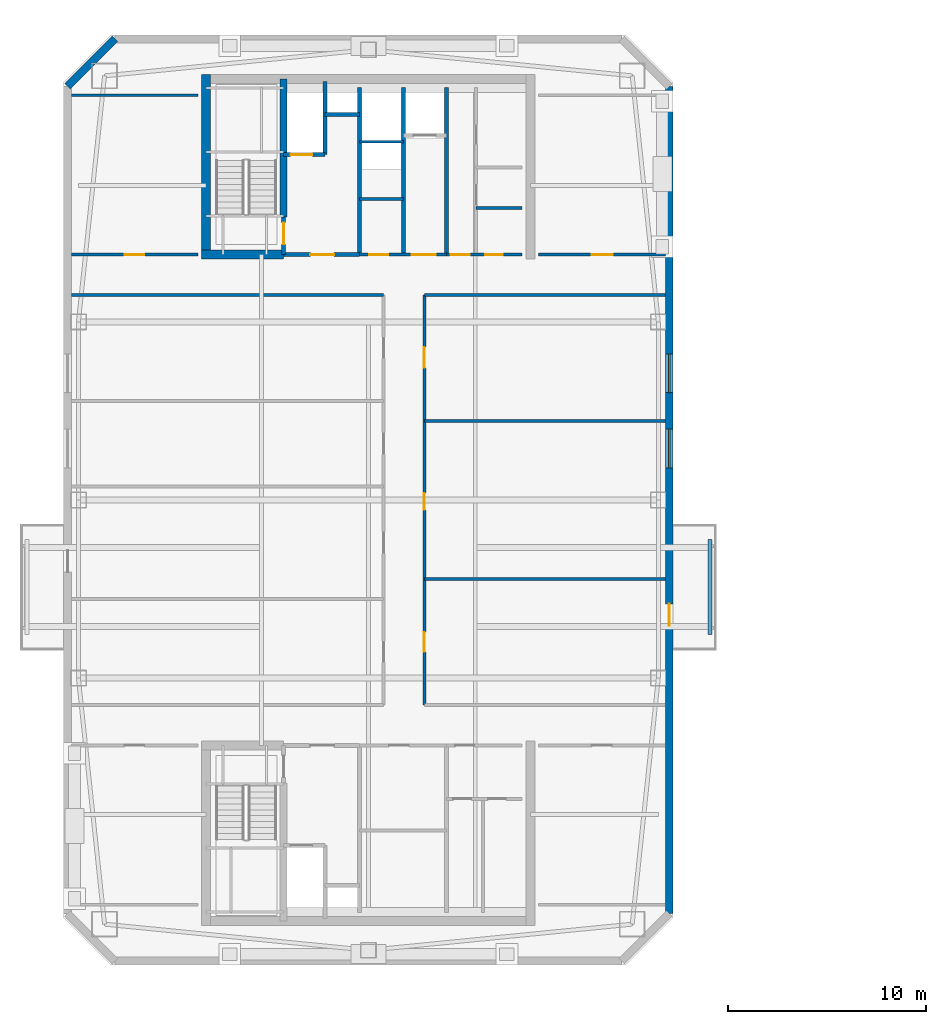
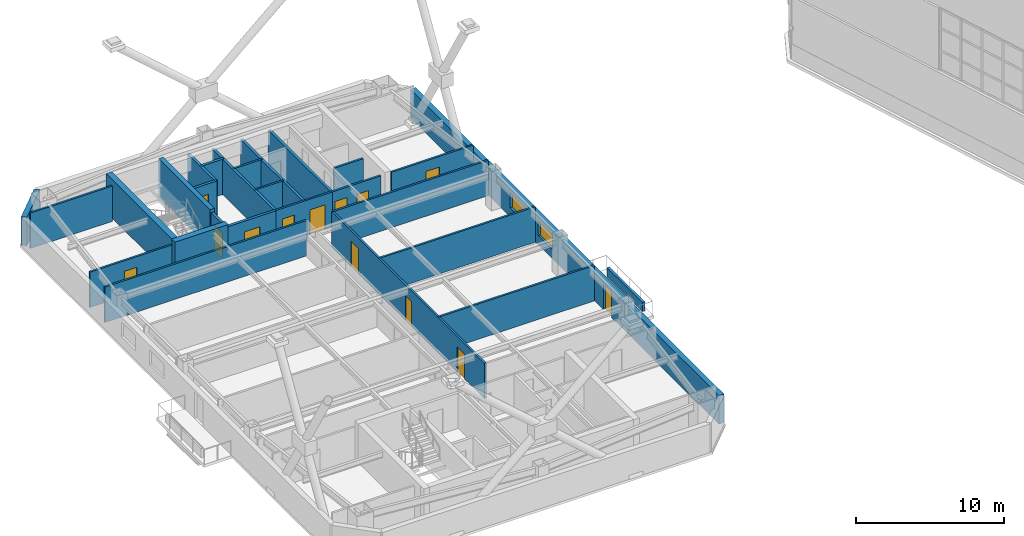
# One storey, part 49 of 56: 27 walls, 13 doors, 2 windows, 15 openings.
"""IFC4 building model written with IfcOpenShell, lengths in metres."""

from ifc_helpers import new_model, si_unit, direction, frame, frame_2d, origin, place, context, subcontext, project, spatial, rectangle, extrude, material, layer, layer_set, type_object, element, fill, save


model = new_model("IFC4")

# Units and contexts
model_context = context("Model", 3, precision=1e-05, world=origin(), true_north=direction((0.0, 1.0)))
body_context = subcontext(model_context, "Body", "Model", "MODEL_VIEW")
ifc_project = project(units=[si_unit("LENGTHUNIT", "METRE"), si_unit("AREAUNIT", "SQUARE_METRE"), si_unit("VOLUMEUNIT", "CUBIC_METRE"), si_unit("PLANEANGLEUNIT", "RADIAN"), si_unit("MASSUNIT", "GRAM", prefix="KILO")], contexts=[model_context])

# Site, building, storey
site_placement = place(None, origin())
site = spatial("IfcSite", under=ifc_project, at=site_placement, CompositionType="ELEMENT")
building_placement = place(site_placement, origin())
building = spatial("IfcBuilding", under=site, at=building_placement, Name="Qiaolan Cultural Towers", CompositionType="ELEMENT")
storey_placement = place(building_placement, frame((0.0, 0.0, 250.39990234375)))
storey = spatial("IfcBuildingStorey", under=building, at=storey_placement, Name="L68", CompositionType="ELEMENT", Elevation=250.39990234375)

# Walls
ifc_material_1 = material(Name="Concrete C50", Category="concrete")
ifc_layer_1 = layer(ifc_material_1, 0.35009765625)
ifc_layer_set_1 = layer_set([ifc_layer_1], Name="Concrete C50")
wall_type_1 = type_object("IfcWallType", Name="WL-CORE-350", PredefinedType="SHEAR", material=ifc_layer_set_1)
wall_1_placement = place(storey_placement, frame((25.719970703125, 48.300048828125, 0.0), z_axis=(0.0, 0.0, 1.0), x_axis=(0.0, 1.0, 0.0)))
element("IfcWall", 1, at=wall_1_placement, inside=storey, type_object=wall_type_1, Name="L68 T1-CN Stair Core Dividing Web", PredefinedType="SHEAR", context=body_context, shape_type="SweptSolid", body=[
    extrude(rectangle(XDim=6.97998046875, YDim=0.35009765625, at=frame_2d((3.489990234375, 0.0))), origin(), (0.0, 0.0, 1.0), 3.2001953125),
])
ifc_material_2 = material(Name="Concrete C50", Category="concrete")
ifc_layer_2 = layer(ifc_material_2, 0.449951171875)
ifc_layer_set_2 = layer_set([ifc_layer_2], Name="Concrete C50")
wall_type_2 = type_object("IfcWallType", Name="WL-CORE-450", PredefinedType="SHEAR", material=ifc_layer_set_2)
wall_2_placement = place(storey_placement, frame((21.800048828125, 46.175048828125, 0.0), z_axis=(0.0, 0.0, 1.0), x_axis=(0.0, 1.0, 0.0)))
element("IfcWall", 2, at=wall_2_placement, inside=storey, type_object=wall_type_2, Name="L68 T1-CN West Core Shear Wall", PredefinedType="SHEAR", context=body_context, shape_type="SweptSolid", body=[
    extrude(rectangle(XDim=9.329833984375, YDim=0.449951171875, at=frame_2d((4.6650390625, 0.0))), origin(), (0.0, 0.0, 1.0), 3.2001953125),
])
wall_3_placement = place(storey_placement, frame((21.574951171875, 46.39990234375, 0.0), z_axis=(0.0, 0.0, 1.0), x_axis=(1.0, 0.0, 0.0)))
element("IfcWall", 3, at=wall_3_placement, inside=storey, type_object=wall_type_2, Name="L68 T1-CN Stair Front Shear Wall", PredefinedType="SHEAR", context=body_context, shape_type="SweptSolid", body=[
    extrude(rectangle(XDim=4.14501953125, YDim=0.449951171875, at=frame_2d((2.072509765625, 0.0))), origin(), (0.0, 0.0, 1.0), 3.2001953125),
])
ifc_material_3 = material(Name="Precast Concrete C50 Honed Stone Pier", Category="masonry")
ifc_layer_3 = layer(ifc_material_3, 0.39990234375)
ifc_layer_set_3 = layer_set([ifc_layer_3], Name="Precast Concrete C50 Honed Stone Pier")
wall_type_3 = type_object("IfcWallType", Name="WL-EXT-PIER-400", PredefinedType="SOLIDWALL", material=ifc_layer_set_3)
wall_4_placement = place(storey_placement, frame((14.800048828125, 54.89990234375, 0.0), z_axis=(0.0, 0.0, 1.0), x_axis=(0.707070815327, 0.707142745217, 0.0)))
element("IfcWall", 4, at=wall_4_placement, inside=storey, type_object=wall_type_3, Name="L68 West Tower Precast Pier Facade Wall F2", PredefinedType="SOLIDWALL", context=body_context, shape_type="SweptSolid", body=[
    extrude(rectangle(XDim=3.39404296875, YDim=0.39990234375, at=frame_2d((1.697021484375, 0.0))), origin(), (0.0, 0.0, 1.0), 2.360107421875),
])

# Wall, openings, door, windows
wall_5_placement = place(storey_placement, frame((45.199951171875, 54.89990234375, 0.0), z_axis=(0.0, 0.0, 1.0), x_axis=(0.0, -1.0, 0.0)))
wall_5 = element("IfcWall", 5, at=wall_5_placement, inside=storey, type_object=wall_type_3, Name="L68 West Tower Precast Pier Facade Wall F5", PredefinedType="SOLIDWALL", context=body_context, shape_type="SweptSolid", body=[
    extrude(rectangle(XDim=41.7998046875, YDim=0.39990234375, at=frame_2d((20.89990234375, 0.0))), origin(), (0.0, 0.0, 1.0), 2.360107421875),
])
opening_1_placement = place(wall_5_placement, frame((17.324951171875, 0.0, 0.75)))
opening_1 = element("IfcOpeningElement", 6, at=opening_1_placement, cuts=wall_5, Name="Opening W-06", PredefinedType="OPENING", context=body_context, shape_type="SweptSolid", body=[
    extrude(rectangle(XDim=1.949951171875, YDim=1.2099609375, at=frame_2d((0.97509765625, 0.60498046875))), frame((0.0, 0.2099609375, 0.0), z_axis=(0.0, -1.0, 0.0), x_axis=(1.0, 0.0, 0.0)), (0.0, 0.0, 1.0), 0.419921875),
])
opening_2_placement = place(wall_5_placement, frame((13.52490234375, 0.0, 0.75)))
opening_2 = element("IfcOpeningElement", 7, at=opening_2_placement, cuts=wall_5, Name="Opening W-06", PredefinedType="OPENING", context=body_context, shape_type="SweptSolid", body=[
    extrude(rectangle(XDim=1.949951171875, YDim=1.2099609375, at=frame_2d((0.97509765625, 0.60498046875))), frame((0.0, 0.2099609375, 0.0), z_axis=(0.0, -1.0, 0.0), x_axis=(1.0, 0.0, 0.0)), (0.0, 0.0, 1.0), 0.419921875),
])
opening_3_placement = place(wall_5_placement, frame((26.14990234375, 0.0, 0.0)))
opening_3 = element("IfcOpeningElement", 8, at=opening_3_placement, cuts=wall_5, Name="Opening BD-01", PredefinedType="OPENING", context=body_context, shape_type="SweptSolid", body=[
    extrude(rectangle(XDim=1.10009765625, YDim=2.14990234375, at=frame_2d((0.550048828125, 1.074951171875))), frame((0.0, 0.2099609375, 0.0), z_axis=(0.0, -1.0, 0.0), x_axis=(1.0, 0.0, 0.0)), (0.0, 0.0, 1.0), 0.419921875),
])
ifc_material_4 = material(Name="Thermally Broken Aluminium Glazed Terrace Door", Category="aluminium")
door_type_1 = type_object("IfcDoorType", Name="DR-BAL-1100", OperationType="NOTDEFINED", PredefinedType="DOOR", material=ifc_material_4)
door_1_placement = place(opening_3_placement, origin())
door_1 = element("IfcDoor", 9, at=door_1_placement, inside=storey, type_object=door_type_1, Name="L68 T1 East Tree Balcony Door", OperationType="SINGLE_SWING_RIGHT", OverallHeight=2.14990234375, OverallWidth=1.10009765625, PredefinedType="DOOR", context=body_context, shape_type="SweptSolid", body=[
    extrude(rectangle(XDim=1.10009765625, YDim=2.14990234375, at=frame_2d((0.550048828125, 1.074951171875))), frame((0.0, 0.02490234375, 0.0), z_axis=(0.0, -1.0, 0.0), x_axis=(1.0, 0.0, 0.0)), (0.0, 0.0, 1.0), 0.050048828125),
])
fill(opening_3, door_1)
ifc_material_5 = material(Name="Thermally Broken Aluminium Triple Low-E Glazing", Category="aluminium")
window_type = type_object("IfcWindowType", Name="WN-CHIC-1950", PartitioningType="SINGLE_PANEL", PredefinedType="WINDOW", material=ifc_material_5)
window_1_placement = place(opening_1_placement, origin())
window_1 = element("IfcWindow", 10, at=window_1_placement, inside=storey, type_object=window_type, Name="L68 T1 E Chicago Bay Window 1", OverallHeight=1.2099609375, OverallWidth=1.949951171875, PartitioningType="TRIPLE_PANEL_VERTICAL", PredefinedType="WINDOW", context=body_context, shape_type="SweptSolid", body=[
    extrude(rectangle(XDim=1.949951171875, YDim=1.2099609375, at=frame_2d((0.97509765625, 0.60498046875))), frame((0.0, 0.030029296875, 0.0), z_axis=(0.0, -1.0, 0.0), x_axis=(1.0, 0.0, 0.0)), (0.0, 0.0, 1.0), 0.06005859375),
])
fill(opening_1, window_1)
window_2_placement = place(opening_2_placement, origin())
window_2 = element("IfcWindow", 11, at=window_2_placement, inside=storey, type_object=window_type, Name="L68 T1 E Chicago Bay Window 2", OverallHeight=1.2099609375, OverallWidth=1.949951171875, PartitioningType="TRIPLE_PANEL_VERTICAL", PredefinedType="WINDOW", context=body_context, shape_type="SweptSolid", body=[
    extrude(rectangle(XDim=1.949951171875, YDim=1.2099609375, at=frame_2d((0.97509765625, 0.60498046875))), frame((0.0, 0.030029296875, 0.0), z_axis=(0.0, -1.0, 0.0), x_axis=(1.0, 0.0, 0.0)), (0.0, 0.0, 1.0), 0.06005859375),
])
fill(opening_2, window_2)

# Wall, opening, door
ifc_material_6 = material(Name="Concrete C35 Fire Wall", Category="concrete")
ifc_layer_4 = layer(ifc_material_6, 0.199951171875)
ifc_layer_set_4 = layer_set([ifc_layer_4], Name="Concrete C35 Fire Wall")
wall_type_4 = type_object("IfcWallType", Name="WL-FIRE-200", PredefinedType="PARTITIONING", material=ifc_layer_set_4)
wall_6_placement = place(storey_placement, frame((25.719970703125, 46.39990234375, 0.0), z_axis=(0.0, 0.0, 1.0), x_axis=(0.0, 1.0, 0.0)))
wall_6 = element("IfcWall", 12, at=wall_6_placement, inside=storey, type_object=wall_type_4, Name="L68 T1-CN Smokeproof Stair Entry Wall", PredefinedType="PARTITIONING", context=body_context, shape_type="SweptSolid", body=[
    extrude(rectangle(XDim=1.900146484375, YDim=0.199951171875, at=frame_2d((0.9501953125, 0.0))), origin(), (0.0, 0.0, 1.0), 2.925048828125),
])
opening_4_placement = place(wall_6_placement, frame((0.52001953125, 0.0, 0.0)))
opening_4 = element("IfcOpeningElement", 13, at=opening_4_placement, cuts=wall_6, Name="Opening FD-04", PredefinedType="OPENING", context=body_context, shape_type="SweptSolid", body=[
    extrude(rectangle(XDim=1.10009765625, YDim=2.050048828125, at=frame_2d((0.550048828125, 1.02490234375))), frame((0.0, 0.10986328125, 0.0), z_axis=(0.0, -1.0, 0.0), x_axis=(1.0, 0.0, 0.0)), (0.0, 0.0, 1.0), 0.219970703125),
])
ifc_material_7 = material(Name="Galvanized Steel Command Fire Door", Category="steel")
door_type_2 = type_object("IfcDoorType", Name="DR-FD90-1100", OperationType="NOTDEFINED", PredefinedType="DOOR", material=ifc_material_7)
door_2_placement = place(opening_4_placement, origin())
door_2 = element("IfcDoor", 14, at=door_2_placement, inside=storey, type_object=door_type_2, Name="L68 ST-W2 Smokeproof Stair Fire Door", OperationType="SINGLE_SWING_LEFT", OverallHeight=2.050048828125, OverallWidth=1.10009765625, PredefinedType="DOOR", context=body_context, shape_type="SweptSolid", body=[
    extrude(rectangle(XDim=1.10009765625, YDim=2.050048828125, at=frame_2d((0.550048828125, 1.02490234375))), frame((0.0, 0.02490234375, 0.0), z_axis=(0.0, -1.0, 0.0), x_axis=(1.0, 0.0, 0.0)), (0.0, 0.0, 1.0), 0.050048828125),
])
fill(opening_4, door_2)

# Wall
wall_7_placement = place(storey_placement, frame((29.550048828125, 46.39990234375, 0.0), z_axis=(0.0, 0.0, 1.0), x_axis=(0.0, 1.0, 0.0)))
element("IfcWall", 15, at=wall_7_placement, inside=storey, type_object=wall_type_4, Name="L68 T1-CN Firefighting Zone Wall", PredefinedType="PARTITIONING", context=body_context, shape_type="SweptSolid", body=[
    extrude(rectangle(XDim=8.43017578125, YDim=0.199951171875, at=frame_2d((4.215087890625, 0.0))), origin(), (0.0, 0.0, 1.0), 2.925048828125),
])

# Wall, opening, door
wall_8_placement = place(storey_placement, frame((25.719970703125, 46.39990234375, 0.0), z_axis=(0.0, 0.0, 1.0), x_axis=(1.0, 0.0, 0.0)))
wall_8 = element("IfcWall", 16, at=wall_8_placement, inside=storey, type_object=wall_type_4, Name="L68 T1-CN Firefighting Lobby Front Wall", PredefinedType="PARTITIONING", context=body_context, shape_type="SweptSolid", body=[
    extrude(rectangle(XDim=3.830078125, YDim=0.199951171875, at=frame_2d((1.9150390625, 0.0))), origin(), (0.0, 0.0, 1.0), 2.925048828125),
])
opening_5_placement = place(wall_8_placement, frame((1.35009765625, 0.0, 0.0)))
opening_5 = element("IfcOpeningElement", 17, at=opening_5_placement, cuts=wall_8, Name="Opening FD-03", PredefinedType="OPENING", context=body_context, shape_type="SweptSolid", body=[
    extrude(rectangle(XDim=1.199951171875, YDim=2.050048828125, at=frame_2d((0.60009765625, 1.02490234375))), frame((0.0, 0.10986328125, 0.0), z_axis=(0.0, -1.0, 0.0), x_axis=(1.0, 0.0, 0.0)), (0.0, 0.0, 1.0), 0.219970703125),
])
ifc_material_8 = material(Name="Galvanized Steel Smokeproof Lobby Fire Door", Category="steel")
door_type_3 = type_object("IfcDoorType", Name="DR-FD90-1200", OperationType="NOTDEFINED", PredefinedType="DOOR", material=ifc_material_8)
door_3_placement = place(opening_5_placement, origin())
door_3 = element("IfcDoor", 18, at=door_3_placement, inside=storey, type_object=door_type_3, Name="L68 FFL-W2 Firefighting Lobby Fire Door", OperationType="SINGLE_SWING_LEFT", OverallHeight=2.050048828125, OverallWidth=1.199951171875, PredefinedType="DOOR", context=body_context, shape_type="SweptSolid", body=[
    extrude(rectangle(XDim=1.199951171875, YDim=2.050048828125, at=frame_2d((0.60009765625, 1.02490234375))), frame((0.0, 0.02490234375, 0.0), z_axis=(0.0, -1.0, 0.0), x_axis=(1.0, 0.0, 0.0)), (0.0, 0.0, 1.0), 0.050048828125),
])
fill(opening_5, door_3)

wall_9_placement = place(storey_placement, frame((25.719970703125, 51.449951171875, 0.0), z_axis=(0.0, 0.0, 1.0), x_axis=(1.0, 0.0, 0.0)))
wall_9 = element("IfcWall", 19, at=wall_9_placement, inside=storey, type_object=wall_type_4, Name="L68 T1-CN Firefighting Shaft Front Wall", PredefinedType="PARTITIONING", context=body_context, shape_type="SweptSolid", body=[
    extrude(rectangle(XDim=2.10009765625, YDim=0.199951171875, at=frame_2d((1.050048828125, 0.0))), origin(), (0.0, 0.0, 1.0), 2.925048828125),
])
opening_6_placement = place(wall_9_placement, frame((0.35009765625, 0.0, 0.0)))
opening_6 = element("IfcOpeningElement", 20, at=opening_6_placement, cuts=wall_9, Name="Opening LD-01", PredefinedType="OPENING", context=body_context, shape_type="SweptSolid", body=[
    extrude(rectangle(XDim=1.10009765625, YDim=2.050048828125, at=frame_2d((0.550048828125, 1.02490234375))), frame((0.0, 0.10986328125, 0.0), z_axis=(0.0, -1.0, 0.0), x_axis=(1.0, 0.0, 0.0)), (0.0, 0.0, 1.0), 0.219970703125),
])
ifc_material_9 = material(Name="Brushed Stainless Steel S30408 Centre-Parting Lift Landing Door", Category="steel")
door_type_4 = type_object("IfcDoorType", Name="DR-LIFT-1100", OperationType="NOTDEFINED", PredefinedType="DOOR", material=ifc_material_9)
door_4_placement = place(opening_6_placement, origin())
door_4 = element("IfcDoor", 21, at=door_4_placement, inside=storey, type_object=door_type_4, Name="L68 FFL-W2 Firefighting Lift Landing Door", OperationType="DOUBLE_DOOR_SLIDING", OverallHeight=2.050048828125, OverallWidth=1.10009765625, PredefinedType="DOOR", context=body_context, shape_type="SweptSolid", body=[
    extrude(rectangle(XDim=1.10009765625, YDim=2.050048828125, at=frame_2d((0.550048828125, 1.02490234375))), frame((0.0, 0.02490234375, 0.0), z_axis=(0.0, -1.0, 0.0), x_axis=(1.0, 0.0, 0.0)), (0.0, 0.0, 1.0), 0.050048828125),
])
fill(opening_6, door_4)

# Walls
wall_10_placement = place(storey_placement, frame((27.820068359375, 51.449951171875, 0.0), z_axis=(0.0, 0.0, 1.0), x_axis=(0.0, 1.0, 0.0)))
element("IfcWall", 22, at=wall_10_placement, inside=storey, type_object=wall_type_4, Name="L68 T1-CN Firefighting Hoistway East Wall", PredefinedType="PARTITIONING", context=body_context, shape_type="SweptSolid", body=[
    extrude(rectangle(XDim=3.699951171875, YDim=0.199951171875, at=frame_2d((1.85009765625, 0.0))), origin(), (0.0, 0.0, 1.0), 2.925048828125),
])
wall_11_placement = place(storey_placement, frame((27.820068359375, 53.47998046875, 0.0), z_axis=(0.0, 0.0, 1.0), x_axis=(1.0, 0.0, 0.0)))
element("IfcWall", 23, at=wall_11_placement, inside=storey, type_object=wall_type_4, Name="L68 T1-CN Pressurization Shaft Front Wall", PredefinedType="PARTITIONING", context=body_context, shape_type="SweptSolid", body=[
    extrude(rectangle(XDim=1.72998046875, YDim=0.199951171875, at=frame_2d((0.864990234375, 0.0))), origin(), (0.0, 0.0, 1.0), 2.925048828125),
])
for number, where, z_axis, x_axis, name in (
    (24, (33.949951171875, 46.39990234375, 0.0), (0.0, 0.0, 1.0), (0.0, 1.0, 0.0), "L68 T1-CN Lift Core East Wall"),
    (25, (31.780029296875, 46.39990234375, 0.0), (0.0, 0.0, 1.0), (0.0, 1.0, 0.0), "L68 T1-CN Sky Shuttle Lift Zone Wall"),
):
    element("IfcWall", number, at=place(storey_placement, frame(where, z_axis=z_axis, x_axis=x_axis)), inside=storey, type_object=wall_type_4, Name=name, PredefinedType="PARTITIONING", context=body_context, shape_type="SweptSolid", body=[
        extrude(rectangle(XDim=8.43017578125, YDim=0.199951171875, at=frame_2d((4.215087890625, 0.0))), origin(), (0.0, 0.0, 1.0), 2.925048828125),
    ])

# Wall, openings, doors
ifc_material_10 = material(Name="Autoclaved Aerated Concrete Block B06", Category="concrete")
ifc_layer_5 = layer(ifc_material_10, 0.14990234375)
ifc_layer_set_5 = layer_set([ifc_layer_5], Name="Autoclaved Aerated Concrete Block B06")
wall_type_5 = type_object("IfcWallType", Name="WL-PART-150", PredefinedType="PARTITIONING", material=ifc_layer_set_5)
wall_12_placement = place(storey_placement, frame((29.550048828125, 46.39990234375, 0.0), z_axis=(0.0, 0.0, 1.0), x_axis=(1.0, 0.0, 0.0)))
wall_12 = element("IfcWall", 26, at=wall_12_placement, inside=storey, type_object=wall_type_5, Name="L68 T1-CN High-Zone Lift Lobby Wall", PredefinedType="PARTITIONING", context=body_context, shape_type="SweptSolid", body=[
    extrude(rectangle(XDim=4.39990234375, YDim=0.14990234375, at=frame_2d((2.199951171875, 0.0))), origin(), (0.0, 0.0, 1.0), 2.925048828125),
])
opening_7_placement = place(wall_12_placement, frame((0.5, 0.0, 0.0)))
opening_7 = element("IfcOpeningElement", 27, at=opening_7_placement, cuts=wall_12, Name="Opening ID-05", PredefinedType="OPENING", context=body_context, shape_type="SweptSolid", body=[
    extrude(rectangle(XDim=0.949951171875, YDim=2.050048828125, at=frame_2d((0.47509765625, 1.02490234375))), frame((0.0, 0.0849609375, 0.0), z_axis=(0.0, -1.0, 0.0), x_axis=(1.0, 0.0, 0.0)), (0.0, 0.0, 1.0), 0.169921875),
])
opening_8_placement = place(wall_12_placement, frame((2.64990234375, 0.0, 0.0)))
opening_8 = element("IfcOpeningElement", 28, at=opening_8_placement, cuts=wall_12, Name="Opening FD-06", PredefinedType="OPENING", context=body_context, shape_type="SweptSolid", body=[
    extrude(rectangle(XDim=1.199951171875, YDim=2.050048828125, at=frame_2d((0.60009765625, 1.02490234375))), frame((0.0, 0.0849609375, 0.0), z_axis=(0.0, -1.0, 0.0), x_axis=(1.0, 0.0, 0.0)), (0.0, 0.0, 1.0), 0.169921875),
])
ifc_material_11 = material(Name="Painted Steel Plant Fire Door", Category="steel")
door_type_5 = type_object("IfcDoorType", Name="DR-FD60-1200", OperationType="NOTDEFINED", PredefinedType="DOOR", material=ifc_material_11)
door_5_placement = place(opening_8_placement, origin())
door_5 = element("IfcDoor", 29, at=door_5_placement, inside=storey, type_object=door_type_5, Name="L68 Sky Shuttle Lift Lobby Door", OperationType="SINGLE_SWING_RIGHT", OverallHeight=2.050048828125, OverallWidth=1.199951171875, PredefinedType="DOOR", context=body_context, shape_type="SweptSolid", body=[
    extrude(rectangle(XDim=1.199951171875, YDim=2.050048828125, at=frame_2d((0.60009765625, 1.02490234375))), frame((0.0, 0.02490234375, 0.0), z_axis=(0.0, -1.0, 0.0), x_axis=(1.0, 0.0, 0.0)), (0.0, 0.0, 1.0), 0.050048828125),
])
fill(opening_8, door_5)
ifc_material_12 = material(Name="Fire-Rated Laminate Accessible Core Door", Category="timber")
door_type_6 = type_object("IfcDoorType", Name="DR-INT-950", OperationType="NOTDEFINED", PredefinedType="DOOR", material=ifc_material_12)
door_6_placement = place(opening_7_placement, origin())
door_6 = element("IfcDoor", 30, at=door_6_placement, inside=storey, type_object=door_type_6, Name="L68 Reclaimed Server Room Door", OperationType="SINGLE_SWING_LEFT", OverallHeight=2.050048828125, OverallWidth=0.949951171875, PredefinedType="DOOR", context=body_context, shape_type="SweptSolid", body=[
    extrude(rectangle(XDim=0.949951171875, YDim=2.050048828125, at=frame_2d((0.47509765625, 1.02490234375))), frame((0.0, 0.02490234375, 0.0), z_axis=(0.0, -1.0, 0.0), x_axis=(1.0, 0.0, 0.0)), (0.0, 0.0, 1.0), 0.050048828125),
])
fill(opening_7, door_6)

# Walls
for number, where, z_axis, x_axis, name in (
    (31, (29.550048828125, 49.199951171875, 0.0), (0.0, 0.0, 1.0), (1.0, 0.0, 0.0), "L68 T1-CN High-Zone Reclaimed Split 1"),
    (32, (29.550048828125, 52.10009765625, 0.0), (0.0, 0.0, 1.0), (1.0, 0.0, 0.0), "L68 T1-CN High-Zone Reclaimed Split 2"),
):
    element("IfcWall", number, at=place(storey_placement, frame(where, z_axis=z_axis, x_axis=x_axis)), inside=storey, type_object=wall_type_5, Name=name, PredefinedType="PARTITIONING", context=body_context, shape_type="SweptSolid", body=[
        extrude(rectangle(XDim=2.22998046875, YDim=0.14990234375, at=frame_2d((1.114990234375, 0.0))), origin(), (0.0, 0.0, 1.0), 2.925048828125),
    ])

# Wall, openings, doors
wall_13_placement = place(storey_placement, frame((33.949951171875, 46.39990234375, 0.0), z_axis=(0.0, 0.0, 1.0), x_axis=(1.0, 0.0, 0.0)))
wall_13 = element("IfcWall", 33, at=wall_13_placement, inside=storey, type_object=wall_type_5, Name="L68 T1-CN Sanitary Core Front Wall", PredefinedType="PARTITIONING", context=body_context, shape_type="SweptSolid", body=[
    extrude(rectangle(XDim=3.800048828125, YDim=0.14990234375, at=frame_2d((1.89990234375, 0.0))), origin(), (0.0, 0.0, 1.0), 2.925048828125),
])
opening_9_placement = place(wall_13_placement, frame((0.219970703125, 0.0, 0.0)))
opening_9 = element("IfcOpeningElement", 34, at=opening_9_placement, cuts=wall_13, Name="Opening ID-05", PredefinedType="OPENING", context=body_context, shape_type="SweptSolid", body=[
    extrude(rectangle(XDim=0.949951171875, YDim=2.050048828125, at=frame_2d((0.47509765625, 1.02490234375))), frame((0.0, 0.0849609375, 0.0), z_axis=(0.0, -1.0, 0.0), x_axis=(1.0, 0.0, 0.0)), (0.0, 0.0, 1.0), 0.169921875),
])
opening_10_placement = place(wall_13_placement, frame((1.949951171875, 0.0, 0.0)))
opening_10 = element("IfcOpeningElement", 35, at=opening_10_placement, cuts=wall_13, Name="Opening ID-06", PredefinedType="OPENING", context=body_context, shape_type="SweptSolid", body=[
    extrude(rectangle(XDim=0.89990234375, YDim=2.050048828125, at=frame_2d((0.449951171875, 1.02490234375))), frame((0.0, 0.0849609375, 0.0), z_axis=(0.0, -1.0, 0.0), x_axis=(1.0, 0.0, 0.0)), (0.0, 0.0, 1.0), 0.169921875),
])
ifc_material_13 = material(Name="Fire-Rated Laminate Core Service Door", Category="timber")
door_type_7 = type_object("IfcDoorType", Name="DR-INT-900", OperationType="NOTDEFINED", PredefinedType="DOOR", material=ifc_material_13)
door_7_placement = place(opening_10_placement, origin())
door_7 = element("IfcDoor", 36, at=door_7_placement, inside=storey, type_object=door_type_7, Name="L68 Core Tea Pantry Door", OperationType="SINGLE_SWING_RIGHT", OverallHeight=2.050048828125, OverallWidth=0.89990234375, PredefinedType="DOOR", context=body_context, shape_type="SweptSolid", body=[
    extrude(rectangle(XDim=0.89990234375, YDim=2.050048828125, at=frame_2d((0.449951171875, 1.02490234375))), frame((0.0, 0.02490234375, 0.0), z_axis=(0.0, -1.0, 0.0), x_axis=(1.0, 0.0, 0.0)), (0.0, 0.0, 1.0), 0.050048828125),
])
fill(opening_10, door_7)
door_8_placement = place(opening_9_placement, origin())
door_8 = element("IfcDoor", 37, at=door_8_placement, inside=storey, type_object=door_type_6, Name="L68 Sanitary Passage Door", OperationType="SINGLE_SWING_LEFT", OverallHeight=2.050048828125, OverallWidth=0.949951171875, PredefinedType="DOOR", context=body_context, shape_type="SweptSolid", body=[
    extrude(rectangle(XDim=0.949951171875, YDim=2.050048828125, at=frame_2d((0.47509765625, 1.02490234375))), frame((0.0, 0.02490234375, 0.0), z_axis=(0.0, -1.0, 0.0), x_axis=(1.0, 0.0, 0.0)), (0.0, 0.0, 1.0), 0.050048828125),
])
fill(opening_9, door_8)

# Walls
wall_14_placement = place(storey_placement, frame((35.449951171875, 48.75, 0.0), z_axis=(0.0, 0.0, 1.0), x_axis=(1.0, 0.0, 0.0)))
element("IfcWall", 38, at=wall_14_placement, inside=storey, type_object=wall_type_5, Name="L68 T1-CN Core Pantry Wall", PredefinedType="PARTITIONING", context=body_context, shape_type="SweptSolid", body=[
    extrude(rectangle(XDim=2.300048828125, YDim=0.14990234375, at=frame_2d((1.14990234375, 0.0))), origin(), (0.0, 0.0, 1.0), 2.925048828125),
])
wall_15_placement = place(storey_placement, frame((15.0, 54.449951171875, 0.0), z_axis=(0.0, 0.0, 1.0), x_axis=(1.0, 0.0, 0.0)))
element("IfcWall", 39, at=wall_15_placement, inside=storey, type_object=wall_type_5, Name="L68 T1 Flank Wall FLK-NW", PredefinedType="PARTITIONING", context=body_context, shape_type="SweptSolid", body=[
    extrude(rectangle(XDim=6.39990234375, YDim=0.14990234375, at=frame_2d((3.199951171875, 0.0))), origin(), (0.0, 0.0, 1.0), 2.925048828125),
])

# Wall, opening, door
wall_16_placement = place(storey_placement, frame((15.0, 46.39990234375, 0.0), z_axis=(0.0, 0.0, 1.0), x_axis=(1.0, 0.0, 0.0)))
wall_16 = element("IfcWall", 40, at=wall_16_placement, inside=storey, type_object=wall_type_5, Name="L68 T1 Flank Front FLK-NW", PredefinedType="PARTITIONING", context=body_context, shape_type="SweptSolid", body=[
    extrude(rectangle(XDim=6.39990234375, YDim=0.14990234375, at=frame_2d((3.199951171875, 0.0))), origin(), (0.0, 0.0, 1.0), 2.925048828125),
])
opening_11_placement = place(wall_16_placement, frame((2.68798828125, 0.0, 0.0)))
opening_11 = element("IfcOpeningElement", 41, at=opening_11_placement, cuts=wall_16, Name="Opening ID-04", PredefinedType="OPENING", context=body_context, shape_type="SweptSolid", body=[
    extrude(rectangle(XDim=1.0, YDim=2.050048828125, at=frame_2d((0.5, 1.02490234375))), frame((0.0, 0.0849609375, 0.0), z_axis=(0.0, -1.0, 0.0), x_axis=(1.0, 0.0, 0.0)), (0.0, 0.0, 1.0), 0.169921875),
])
ifc_material_14 = material(Name="Oak Veneer Acoustic Office Door", Category="timber")
door_type_8 = type_object("IfcDoorType", Name="DR-INT-1000", OperationType="NOTDEFINED", PredefinedType="DOOR", material=ifc_material_14)
door_9_placement = place(opening_11_placement, origin())
door_9 = element("IfcDoor", 42, at=door_9_placement, inside=storey, type_object=door_type_8, Name="L68 T1 Corner Studio Door", OperationType="SINGLE_SWING_LEFT", OverallHeight=2.050048828125, OverallWidth=1.0, PredefinedType="DOOR", context=body_context, shape_type="SweptSolid", body=[
    extrude(rectangle(XDim=1.0, YDim=2.050048828125, at=frame_2d((0.5, 1.02490234375))), frame((0.0, 0.02490234375, 0.0), z_axis=(0.0, -1.0, 0.0), x_axis=(1.0, 0.0, 0.0)), (0.0, 0.0, 1.0), 0.050048828125),
])
fill(opening_11, door_9)

wall_17_placement = place(storey_placement, frame((38.60009765625, 46.39990234375, 0.0), z_axis=(0.0, 0.0, 1.0), x_axis=(1.0, 0.0, 0.0)))
wall_17 = element("IfcWall", 43, at=wall_17_placement, inside=storey, type_object=wall_type_5, Name="L68 T1 Flank Front FLK-NE", PredefinedType="PARTITIONING", context=body_context, shape_type="SweptSolid", body=[
    extrude(rectangle(XDim=6.39990234375, YDim=0.14990234375, at=frame_2d((3.199951171875, 0.0))), origin(), (0.0, 0.0, 1.0), 2.925048828125),
])
opening_12_placement = place(wall_17_placement, frame((2.68798828125, 0.0, 0.0)))
opening_12 = element("IfcOpeningElement", 44, at=opening_12_placement, cuts=wall_17, Name="Opening ID-07", PredefinedType="OPENING", context=body_context, shape_type="SweptSolid", body=[
    extrude(rectangle(XDim=1.050048828125, YDim=2.050048828125, at=frame_2d((0.52490234375, 1.02490234375))), frame((0.0, 0.0849609375, 0.0), z_axis=(0.0, -1.0, 0.0), x_axis=(1.0, 0.0, 0.0)), (0.0, 0.0, 1.0), 0.169921875),
])
ifc_material_15 = material(Name="Oak Veneer Consultation Door", Category="timber")
door_type_9 = type_object("IfcDoorType", Name="DR-INT-1050", OperationType="NOTDEFINED", PredefinedType="DOOR", material=ifc_material_15)
door_10_placement = place(opening_12_placement, origin())
door_10 = element("IfcDoor", 45, at=door_10_placement, inside=storey, type_object=door_type_9, Name="L68 T1 Corner Studio Door", OperationType="SINGLE_SWING_LEFT", OverallHeight=2.050048828125, OverallWidth=1.050048828125, PredefinedType="DOOR", context=body_context, shape_type="SweptSolid", body=[
    extrude(rectangle(XDim=1.050048828125, YDim=2.050048828125, at=frame_2d((0.52490234375, 1.02490234375))), frame((0.0, 0.02490234375, 0.0), z_axis=(0.0, -1.0, 0.0), x_axis=(1.0, 0.0, 0.0)), (0.0, 0.0, 1.0), 0.050048828125),
])
fill(opening_12, door_10)

# Walls
wall_18_placement = place(storey_placement, frame((15.0, 44.35009765625, 0.0), z_axis=(0.0, 0.0, 1.0), x_axis=(1.0, 0.0, 0.0)))
element("IfcWall", 46, at=wall_18_placement, inside=storey, type_object=wall_type_5, Name="L68 T1 North Corridor Left Wall", PredefinedType="PARTITIONING", context=body_context, shape_type="SweptSolid", body=[
    extrude(rectangle(XDim=15.77490234375, YDim=0.14990234375, at=frame_2d((7.887451171875, 0.0))), origin(), (0.0, 0.0, 1.0), 2.925048828125),
])
wall_19_placement = place(storey_placement, frame((32.824951171875, 44.35009765625, 0.0), z_axis=(0.0, 0.0, 1.0), x_axis=(1.0, 0.0, 0.0)))
element("IfcWall", 47, at=wall_19_placement, inside=storey, type_object=wall_type_5, Name="L68 T1 North Corridor Right Wall", PredefinedType="PARTITIONING", context=body_context, shape_type="SweptSolid", body=[
    extrude(rectangle(XDim=12.175048828125, YDim=0.14990234375, at=frame_2d((6.08740234375, 0.0))), origin(), (0.0, 0.0, 1.0), 2.925048828125),
])

# Wall, openings, doors
wall_20_placement = place(storey_placement, frame((32.824951171875, 23.64990234375, 0.0), z_axis=(0.0, 0.0, 1.0), x_axis=(0.0, 1.0, 0.0)))
wall_20 = element("IfcWall", 48, at=wall_20_placement, inside=storey, type_object=wall_type_5, Name="L68 T1 East Spine Wall", PredefinedType="PARTITIONING", context=body_context, shape_type="SweptSolid", body=[
    extrude(rectangle(XDim=20.7001953125, YDim=0.14990234375, at=frame_2d((10.35009765625, 0.0))), origin(), (0.0, 0.0, 1.0), 2.925048828125),
])
opening_13_placement = place(wall_20_placement, frame((2.675048828125, 0.0, 0.0)))
opening_13 = element("IfcOpeningElement", 49, at=opening_13_placement, cuts=wall_20, Name="Opening ID-04", PredefinedType="OPENING", context=body_context, shape_type="SweptSolid", body=[
    extrude(rectangle(XDim=1.0, YDim=2.050048828125, at=frame_2d((0.5, 1.02490234375))), frame((0.0, 0.0849609375, 0.0), z_axis=(0.0, -1.0, 0.0), x_axis=(1.0, 0.0, 0.0)), (0.0, 0.0, 1.0), 0.169921875),
])
opening_14_placement = place(wall_20_placement, frame((9.85009765625, 0.0, 0.0)))
opening_14 = element("IfcOpeningElement", 50, at=opening_14_placement, cuts=wall_20, Name="Opening ID-09", PredefinedType="OPENING", context=body_context, shape_type="SweptSolid", body=[
    extrude(rectangle(XDim=0.85009765625, YDim=2.050048828125, at=frame_2d((0.425048828125, 1.02490234375))), frame((0.0, 0.0849609375, 0.0), z_axis=(0.0, -1.0, 0.0), x_axis=(1.0, 0.0, 0.0)), (0.0, 0.0, 1.0), 0.169921875),
])
opening_15_placement = place(wall_20_placement, frame((17.02490234375, 0.0, 0.0)))
opening_15 = element("IfcOpeningElement", 51, at=opening_15_placement, cuts=wall_20, Name="Opening ID-07", PredefinedType="OPENING", context=body_context, shape_type="SweptSolid", body=[
    extrude(rectangle(XDim=1.050048828125, YDim=2.050048828125, at=frame_2d((0.52490234375, 1.02490234375))), frame((0.0, 0.0849609375, 0.0), z_axis=(0.0, -1.0, 0.0), x_axis=(1.0, 0.0, 0.0)), (0.0, 0.0, 1.0), 0.169921875),
])
door_11_placement = place(opening_13_placement, origin())
door_11 = element("IfcDoor", 52, at=door_11_placement, inside=storey, type_object=door_type_8, Name="L68 T1 Sky Club Lounge Door", OperationType="SINGLE_SWING_RIGHT", OverallHeight=2.050048828125, OverallWidth=1.0, PredefinedType="DOOR", context=body_context, shape_type="SweptSolid", body=[
    extrude(rectangle(XDim=1.0, YDim=2.050048828125, at=frame_2d((0.5, 1.02490234375))), frame((0.0, 0.02490234375, 0.0), z_axis=(0.0, -1.0, 0.0), x_axis=(1.0, 0.0, 0.0)), (0.0, 0.0, 1.0), 0.050048828125),
])
fill(opening_13, door_11)
door_12_placement = place(opening_15_placement, origin())
door_12 = element("IfcDoor", 53, at=door_12_placement, inside=storey, type_object=door_type_9, Name="L68 T1 Private Art Salon Door", OperationType="SINGLE_SWING_RIGHT", OverallHeight=2.050048828125, OverallWidth=1.050048828125, PredefinedType="DOOR", context=body_context, shape_type="SweptSolid", body=[
    extrude(rectangle(XDim=1.050048828125, YDim=2.050048828125, at=frame_2d((0.52490234375, 1.02490234375))), frame((0.0, 0.02490234375, 0.0), z_axis=(0.0, -1.0, 0.0), x_axis=(1.0, 0.0, 0.0)), (0.0, 0.0, 1.0), 0.050048828125),
])
fill(opening_15, door_12)
ifc_material_16 = material(Name="Moisture-Resistant Laminate Utility Door", Category="timber")
door_type_10 = type_object("IfcDoorType", Name="DR-INT-850", OperationType="NOTDEFINED", PredefinedType="DOOR", material=ifc_material_16)
door_13_placement = place(opening_14_placement, origin())
door_13 = element("IfcDoor", 54, at=door_13_placement, inside=storey, type_object=door_type_10, Name="L68 T1 Executive Dining Kitchen Door", OperationType="SINGLE_SWING_LEFT", OverallHeight=2.050048828125, OverallWidth=0.85009765625, PredefinedType="DOOR", context=body_context, shape_type="SweptSolid", body=[
    extrude(rectangle(XDim=0.85009765625, YDim=2.050048828125, at=frame_2d((0.425048828125, 1.02490234375))), frame((0.0, 0.02490234375, 0.0), z_axis=(0.0, -1.0, 0.0), x_axis=(1.0, 0.0, 0.0)), (0.0, 0.0, 1.0), 0.050048828125),
])
fill(opening_14, door_13)

# Walls
for number, where, z_axis, x_axis, name in (
    (55, (32.824951171875, 30.0, 0.0), (0.0, 0.0, 1.0), (1.0, 0.0, 0.0), "L68 T1 East Partition 1"),
    (56, (32.824951171875, 38.0, 0.0), (0.0, 0.0, 1.0), (1.0, 0.0, 0.0), "L68 T1 East Partition 2"),
):
    element("IfcWall", number, at=place(storey_placement, frame(where, z_axis=z_axis, x_axis=x_axis)), inside=storey, type_object=wall_type_5, Name=name, PredefinedType="PARTITIONING", context=body_context, shape_type="SweptSolid", body=[
        extrude(rectangle(XDim=12.175048828125, YDim=0.14990234375, at=frame_2d((6.08740234375, 0.0))), origin(), (0.0, 0.0, 1.0), 2.925048828125),
    ])
ifc_material_17 = material(Name="Precast Concrete C45 Tree Planter Upstand", Category="concrete")
ifc_layer_6 = layer(ifc_material_17, 0.199951171875)
ifc_layer_set_6 = layer_set([ifc_layer_6], Name="Precast Concrete C45 Tree Planter Upstand")
wall_type_6 = type_object("IfcWallType", Name="WL-PLANTER-200", PredefinedType="PARAPET", material=ifc_layer_set_6)
wall_21_placement = place(storey_placement, frame((47.25, 27.199951171875, 0.0), z_axis=(0.0, 0.0, 1.0), x_axis=(0.0, 1.0, 0.0)))
element("IfcWall", 57, at=wall_21_placement, inside=storey, type_object=wall_type_6, Name="L68 T1 Tree Balcony Soil Planter Box E", PredefinedType="PARAPET", context=body_context, shape_type="SweptSolid", body=[
    extrude(rectangle(XDim=4.800048828125, YDim=0.199951171875, at=frame_2d((2.39990234375, 0.0))), origin(), (0.0, 0.0, 1.0), 0.75),
])

save(model, "model.ifc")
